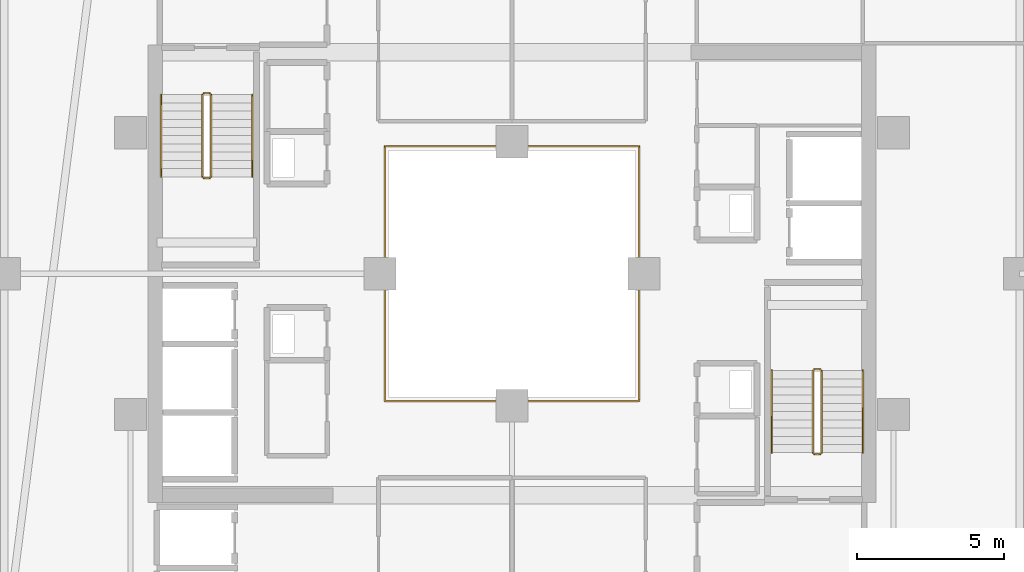
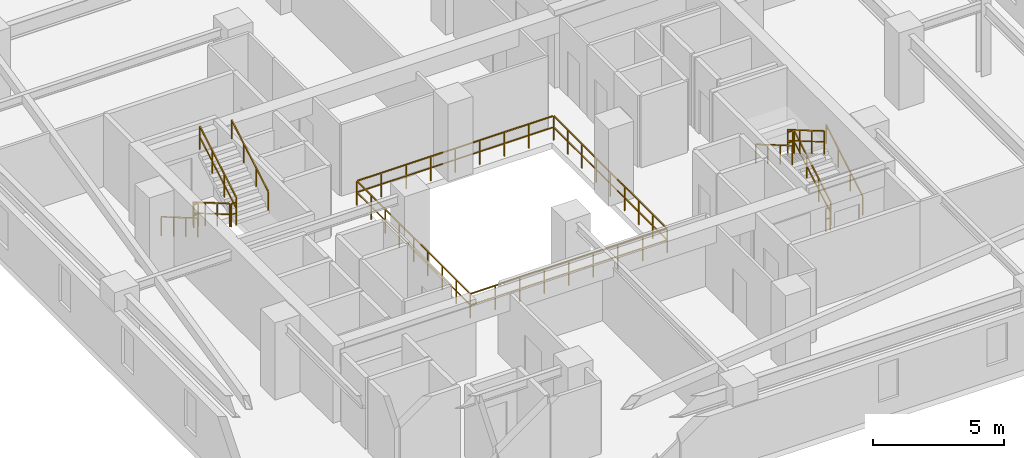
# One storey, part 31 of 32: 13 railings.
"""IFC4 building model written with IfcOpenShell, lengths in metres."""

from ifc_helpers import new_model, si_unit, direction, frame, origin, origin_2d, place, context, subcontext, project, spatial, rectangle, extrude, material, type_object, element, save


model = new_model("IFC4")

# Units and contexts
model_context = context("Model", 3, precision=1e-05, world=origin(), true_north=direction((0.0, 1.0)))
body_context = subcontext(model_context, "Body", "Model", "MODEL_VIEW")
ifc_project = project(units=[si_unit("LENGTHUNIT", "METRE"), si_unit("AREAUNIT", "SQUARE_METRE"), si_unit("VOLUMEUNIT", "CUBIC_METRE"), si_unit("PLANEANGLEUNIT", "RADIAN"), si_unit("MASSUNIT", "GRAM", prefix="KILO")], contexts=[model_context])

# Site, building, storey
site_placement = place(None, origin())
site = spatial("IfcSite", under=ifc_project, at=site_placement, CompositionType="ELEMENT")
building_placement = place(site_placement, origin())
building = spatial("IfcBuilding", under=site, at=building_placement, Name="Thornwick Lancets Civic Towers", CompositionType="ELEMENT")
storey_placement = place(building_placement, frame((0.0, 0.0, 152.699951171875)))
storey = spatial("IfcBuildingStorey", under=building, at=storey_placement, Name="L40", CompositionType="ELEMENT", Elevation=152.699951171875)

# Railings
ifc_material_1 = material(Name="Laminated glass and bronze steel S355", Category="steel")
railing_type_1 = type_object("IfcRailingType", Name="RAIL_ATRIUM_GUARD", PredefinedType="BALUSTRADE", material=ifc_material_1)
railing_1_placement = place(storey_placement, frame((84.159912109375, 22.659912109375, 0.0)))
element("IfcRailing", 1, at=railing_1_placement, inside=storey, type_object=railing_type_1, Name="L40 Tower B Central Atrium Guard Balustrade", PredefinedType="BALUSTRADE", context=body_context, shape_type="SweptSolid", body=[
    extrude(rectangle(XDim=0.048095703125, YDim=0.048095703125, at=origin_2d()), frame((0.0, 0.0, 1.1259765625), z_axis=(1.0, 0.0, 0.0), x_axis=(0.0, 1.0, 0.0)), (0.0, 0.0, 1.0), 8.64892578125),
    extrude(rectangle(XDim=0.0419921875, YDim=0.0419921875, at=origin_2d()), frame((0.03759765625, 0.0, 0.597900390625), z_axis=(1.0, 0.0, 0.0), x_axis=(0.0, 1.0, 0.0)), (0.0, 0.0, 1.0), 1.010009765625),
    extrude(rectangle(XDim=0.0419921875, YDim=0.0419921875, at=origin_2d()), frame((1.12255859375, 0.0, 0.597900390625), z_axis=(1.0, 0.0, 0.0), x_axis=(0.0, 1.0, 0.0)), (0.0, 0.0, 1.0), 1.010009765625),
    extrude(rectangle(XDim=0.0419921875, YDim=0.0419921875, at=origin_2d()), frame((2.20751953125, 0.0, 0.597900390625), z_axis=(1.0, 0.0, 0.0), x_axis=(0.0, 1.0, 0.0)), (0.0, 0.0, 1.0), 1.010009765625),
    extrude(rectangle(XDim=0.0419921875, YDim=0.0419921875, at=origin_2d()), frame((3.29248046875, 0.0, 0.597900390625), z_axis=(1.0, 0.0, 0.0), x_axis=(0.0, 1.0, 0.0)), (0.0, 0.0, 1.0), 1.010009765625),
    extrude(rectangle(XDim=0.0419921875, YDim=0.0419921875, at=origin_2d()), frame((4.377685546875, 0.0, 0.597900390625), z_axis=(1.0, 0.0, 0.0), x_axis=(0.0, 1.0, 0.0)), (0.0, 0.0, 1.0), 1.010009765625),
    extrude(rectangle(XDim=0.0419921875, YDim=0.0419921875, at=origin_2d()), frame((5.462646484375, 0.0, 0.597900390625), z_axis=(1.0, 0.0, 0.0), x_axis=(0.0, 1.0, 0.0)), (0.0, 0.0, 1.0), 1.010009765625),
    extrude(rectangle(XDim=0.0419921875, YDim=0.0419921875, at=origin_2d()), frame((6.547607421875, 0.0, 0.597900390625), z_axis=(1.0, 0.0, 0.0), x_axis=(0.0, 1.0, 0.0)), (0.0, 0.0, 1.0), 1.010009765625),
    extrude(rectangle(XDim=0.0419921875, YDim=0.0419921875, at=origin_2d()), frame((7.632568359375, 0.0, 0.597900390625), z_axis=(1.0, 0.0, 0.0), x_axis=(0.0, 1.0, 0.0)), (0.0, 0.0, 1.0), 1.010009765625),
    extrude(rectangle(XDim=0.048095703125, YDim=0.048095703125, at=origin_2d()), frame((8.68017578125, 0.03125, 1.1259765625), z_axis=(0.0, 1.0, 0.0), x_axis=(-1.0, 0.0, 0.0)), (0.0, 0.0, 1.0), 8.61767578125),
    extrude(rectangle(XDim=0.0419921875, YDim=0.0419921875, at=origin_2d()), frame((8.68017578125, 0.03759765625, 0.597900390625), z_axis=(0.0, 1.0, 0.0), x_axis=(-1.0, 0.0, 0.0)), (0.0, 0.0, 1.0), 1.010009765625),
    extrude(rectangle(XDim=0.0419921875, YDim=0.0419921875, at=origin_2d()), frame((8.68017578125, 1.12255859375, 0.597900390625), z_axis=(0.0, 1.0, 0.0), x_axis=(-1.0, 0.0, 0.0)), (0.0, 0.0, 1.0), 1.010009765625),
    extrude(rectangle(XDim=0.0419921875, YDim=0.0419921875, at=origin_2d()), frame((8.68017578125, 2.20751953125, 0.597900390625), z_axis=(0.0, 1.0, 0.0), x_axis=(-1.0, 0.0, 0.0)), (0.0, 0.0, 1.0), 1.010009765625),
    extrude(rectangle(XDim=0.0419921875, YDim=0.0419921875, at=origin_2d()), frame((8.68017578125, 3.29248046875, 0.597900390625), z_axis=(0.0, 1.0, 0.0), x_axis=(-1.0, 0.0, 0.0)), (0.0, 0.0, 1.0), 1.010009765625),
    extrude(rectangle(XDim=0.0419921875, YDim=0.0419921875, at=origin_2d()), frame((8.68017578125, 4.377685546875, 0.597900390625), z_axis=(0.0, 1.0, 0.0), x_axis=(-1.0, 0.0, 0.0)), (0.0, 0.0, 1.0), 1.010009765625),
    extrude(rectangle(XDim=0.0419921875, YDim=0.0419921875, at=origin_2d()), frame((8.68017578125, 5.462646484375, 0.597900390625), z_axis=(0.0, 1.0, 0.0), x_axis=(-1.0, 0.0, 0.0)), (0.0, 0.0, 1.0), 1.010009765625),
    extrude(rectangle(XDim=0.0419921875, YDim=0.0419921875, at=origin_2d()), frame((8.68017578125, 6.547607421875, 0.597900390625), z_axis=(0.0, 1.0, 0.0), x_axis=(-1.0, 0.0, 0.0)), (0.0, 0.0, 1.0), 1.010009765625),
    extrude(rectangle(XDim=0.0419921875, YDim=0.0419921875, at=origin_2d()), frame((8.68017578125, 7.632568359375, 0.597900390625), z_axis=(0.0, 1.0, 0.0), x_axis=(-1.0, 0.0, 0.0)), (0.0, 0.0, 1.0), 1.010009765625),
    extrude(rectangle(XDim=0.048095703125, YDim=0.048095703125, at=origin_2d()), frame((8.64892578125, 8.68017578125, 1.1259765625), z_axis=(-1.0, 0.0, 0.0), x_axis=(0.0, -1.0, 0.0)), (0.0, 0.0, 1.0), 8.61767578125),
    extrude(rectangle(XDim=0.0419921875, YDim=0.0419921875, at=origin_2d()), frame((8.642578125, 8.68017578125, 0.597900390625), z_axis=(-1.0, 0.0, 0.0), x_axis=(0.0, -1.0, 0.0)), (0.0, 0.0, 1.0), 1.010009765625),
    extrude(rectangle(XDim=0.0419921875, YDim=0.0419921875, at=origin_2d()), frame((7.5576171875, 8.68017578125, 0.597900390625), z_axis=(-1.0, 0.0, 0.0), x_axis=(0.0, -1.0, 0.0)), (0.0, 0.0, 1.0), 1.010009765625),
    extrude(rectangle(XDim=0.0419921875, YDim=0.0419921875, at=origin_2d()), frame((6.47265625, 8.68017578125, 0.597900390625), z_axis=(-1.0, 0.0, 0.0), x_axis=(0.0, -1.0, 0.0)), (0.0, 0.0, 1.0), 1.010009765625),
    extrude(rectangle(XDim=0.0419921875, YDim=0.0419921875, at=origin_2d()), frame((5.3876953125, 8.68017578125, 0.597900390625), z_axis=(-1.0, 0.0, 0.0), x_axis=(0.0, -1.0, 0.0)), (0.0, 0.0, 1.0), 1.010009765625),
    extrude(rectangle(XDim=0.0419921875, YDim=0.0419921875, at=origin_2d()), frame((4.302490234375, 8.68017578125, 0.597900390625), z_axis=(-1.0, 0.0, 0.0), x_axis=(0.0, -1.0, 0.0)), (0.0, 0.0, 1.0), 1.010009765625),
    extrude(rectangle(XDim=0.0419921875, YDim=0.0419921875, at=origin_2d()), frame((3.217529296875, 8.68017578125, 0.597900390625), z_axis=(-1.0, 0.0, 0.0), x_axis=(0.0, -1.0, 0.0)), (0.0, 0.0, 1.0), 1.010009765625),
    extrude(rectangle(XDim=0.0419921875, YDim=0.0419921875, at=origin_2d()), frame((2.132568359375, 8.68017578125, 0.597900390625), z_axis=(-1.0, 0.0, 0.0), x_axis=(0.0, -1.0, 0.0)), (0.0, 0.0, 1.0), 1.010009765625),
    extrude(rectangle(XDim=0.0419921875, YDim=0.0419921875, at=origin_2d()), frame((1.047607421875, 8.68017578125, 0.597900390625), z_axis=(-1.0, 0.0, 0.0), x_axis=(0.0, -1.0, 0.0)), (0.0, 0.0, 1.0), 1.010009765625),
    extrude(rectangle(XDim=0.048095703125, YDim=0.048095703125, at=origin_2d()), frame((0.0, 8.64892578125, 1.1259765625), z_axis=(0.0, -1.0, 0.0), x_axis=(1.0, 0.0, 0.0)), (0.0, 0.0, 1.0), 8.64892578125),
    extrude(rectangle(XDim=0.0419921875, YDim=0.0419921875, at=origin_2d()), frame((0.0, 8.642578125, 0.597900390625), z_axis=(0.0, -1.0, 0.0), x_axis=(1.0, 0.0, 0.0)), (0.0, 0.0, 1.0), 1.010009765625),
    extrude(rectangle(XDim=0.0419921875, YDim=0.0419921875, at=origin_2d()), frame((0.0, 7.5576171875, 0.597900390625), z_axis=(0.0, -1.0, 0.0), x_axis=(1.0, 0.0, 0.0)), (0.0, 0.0, 1.0), 1.010009765625),
    extrude(rectangle(XDim=0.0419921875, YDim=0.0419921875, at=origin_2d()), frame((0.0, 6.47265625, 0.597900390625), z_axis=(0.0, -1.0, 0.0), x_axis=(1.0, 0.0, 0.0)), (0.0, 0.0, 1.0), 1.010009765625),
    extrude(rectangle(XDim=0.0419921875, YDim=0.0419921875, at=origin_2d()), frame((0.0, 5.3876953125, 0.597900390625), z_axis=(0.0, -1.0, 0.0), x_axis=(1.0, 0.0, 0.0)), (0.0, 0.0, 1.0), 1.010009765625),
    extrude(rectangle(XDim=0.0419921875, YDim=0.0419921875, at=origin_2d()), frame((0.0, 4.302490234375, 0.597900390625), z_axis=(0.0, -1.0, 0.0), x_axis=(1.0, 0.0, 0.0)), (0.0, 0.0, 1.0), 1.010009765625),
    extrude(rectangle(XDim=0.0419921875, YDim=0.0419921875, at=origin_2d()), frame((0.0, 3.217529296875, 0.597900390625), z_axis=(0.0, -1.0, 0.0), x_axis=(1.0, 0.0, 0.0)), (0.0, 0.0, 1.0), 1.010009765625),
    extrude(rectangle(XDim=0.0419921875, YDim=0.0419921875, at=origin_2d()), frame((0.0, 2.132568359375, 0.597900390625), z_axis=(0.0, -1.0, 0.0), x_axis=(1.0, 0.0, 0.0)), (0.0, 0.0, 1.0), 1.010009765625),
    extrude(rectangle(XDim=0.0419921875, YDim=0.0419921875, at=origin_2d()), frame((0.0, 1.047607421875, 0.597900390625), z_axis=(0.0, -1.0, 0.0), x_axis=(1.0, 0.0, 0.0)), (0.0, 0.0, 1.0), 1.010009765625),
    extrude(rectangle(XDim=0.0419921875, YDim=0.0419921875, at=origin_2d()), origin(), (0.0, 0.0, 1.0), 1.095703125),
    extrude(rectangle(XDim=0.0419921875, YDim=0.0419921875, at=origin_2d()), frame((1.0849609375, 0.0, 0.0)), (0.0, 0.0, 1.0), 1.095703125),
    extrude(rectangle(XDim=0.0419921875, YDim=0.0419921875, at=origin_2d()), frame((2.169921875, 0.0, 0.0)), (0.0, 0.0, 1.0), 1.095703125),
    extrude(rectangle(XDim=0.0419921875, YDim=0.0419921875, at=origin_2d()), frame((3.255126953125, 0.0, 0.0)), (0.0, 0.0, 1.0), 1.095703125),
    extrude(rectangle(XDim=0.0419921875, YDim=0.0419921875, at=origin_2d()), frame((4.340087890625, 0.0, 0.0)), (0.0, 0.0, 1.0), 1.095703125),
    extrude(rectangle(XDim=0.0419921875, YDim=0.0419921875, at=origin_2d()), frame((5.425048828125, 0.0, 0.0)), (0.0, 0.0, 1.0), 1.095703125),
    extrude(rectangle(XDim=0.0419921875, YDim=0.0419921875, at=origin_2d()), frame((6.51025390625, 0.0, 0.0)), (0.0, 0.0, 1.0), 1.095703125),
    extrude(rectangle(XDim=0.0419921875, YDim=0.0419921875, at=origin_2d()), frame((7.59521484375, 0.0, 0.0)), (0.0, 0.0, 1.0), 1.095703125),
    extrude(rectangle(XDim=0.0419921875, YDim=0.0419921875, at=origin_2d()), frame((8.68017578125, 0.0, 0.0)), (0.0, 0.0, 1.0), 1.095703125),
    extrude(rectangle(XDim=0.0419921875, YDim=0.0419921875, at=origin_2d()), frame((8.68017578125, 1.0849609375, 0.0)), (0.0, 0.0, 1.0), 1.095703125),
    extrude(rectangle(XDim=0.0419921875, YDim=0.0419921875, at=origin_2d()), frame((8.68017578125, 2.169921875, 0.0)), (0.0, 0.0, 1.0), 1.095703125),
    extrude(rectangle(XDim=0.0419921875, YDim=0.0419921875, at=origin_2d()), frame((8.68017578125, 3.255126953125, 0.0)), (0.0, 0.0, 1.0), 1.095703125),
    extrude(rectangle(XDim=0.0419921875, YDim=0.0419921875, at=origin_2d()), frame((8.68017578125, 4.340087890625, 0.0)), (0.0, 0.0, 1.0), 1.095703125),
    extrude(rectangle(XDim=0.0419921875, YDim=0.0419921875, at=origin_2d()), frame((8.68017578125, 5.425048828125, 0.0)), (0.0, 0.0, 1.0), 1.095703125),
    extrude(rectangle(XDim=0.0419921875, YDim=0.0419921875, at=origin_2d()), frame((8.68017578125, 6.51025390625, 0.0)), (0.0, 0.0, 1.0), 1.095703125),
    extrude(rectangle(XDim=0.0419921875, YDim=0.0419921875, at=origin_2d()), frame((8.68017578125, 7.59521484375, 0.0)), (0.0, 0.0, 1.0), 1.095703125),
    extrude(rectangle(XDim=0.0419921875, YDim=0.0419921875, at=origin_2d()), frame((8.68017578125, 8.68017578125, 0.0)), (0.0, 0.0, 1.0), 1.095703125),
    extrude(rectangle(XDim=0.0419921875, YDim=0.0419921875, at=origin_2d()), frame((7.59521484375, 8.68017578125, 0.0)), (0.0, 0.0, 1.0), 1.095703125),
    extrude(rectangle(XDim=0.0419921875, YDim=0.0419921875, at=origin_2d()), frame((6.51025390625, 8.68017578125, 0.0)), (0.0, 0.0, 1.0), 1.095703125),
    extrude(rectangle(XDim=0.0419921875, YDim=0.0419921875, at=origin_2d()), frame((5.425048828125, 8.68017578125, 0.0)), (0.0, 0.0, 1.0), 1.095703125),
    extrude(rectangle(XDim=0.0419921875, YDim=0.0419921875, at=origin_2d()), frame((4.340087890625, 8.68017578125, 0.0)), (0.0, 0.0, 1.0), 1.095703125),
    extrude(rectangle(XDim=0.0419921875, YDim=0.0419921875, at=origin_2d()), frame((3.255126953125, 8.68017578125, 0.0)), (0.0, 0.0, 1.0), 1.095703125),
    extrude(rectangle(XDim=0.0419921875, YDim=0.0419921875, at=origin_2d()), frame((2.169921875, 8.68017578125, 0.0)), (0.0, 0.0, 1.0), 1.095703125),
    extrude(rectangle(XDim=0.0419921875, YDim=0.0419921875, at=origin_2d()), frame((1.0849609375, 8.68017578125, 0.0)), (0.0, 0.0, 1.0), 1.095703125),
    extrude(rectangle(XDim=0.0419921875, YDim=0.0419921875, at=origin_2d()), frame((0.0, 8.68017578125, 0.0)), (0.0, 0.0, 1.0), 1.095703125),
    extrude(rectangle(XDim=0.0419921875, YDim=0.0419921875, at=origin_2d()), frame((0.0, 7.59521484375, 0.0)), (0.0, 0.0, 1.0), 1.095703125),
    extrude(rectangle(XDim=0.0419921875, YDim=0.0419921875, at=origin_2d()), frame((0.0, 6.51025390625, 0.0)), (0.0, 0.0, 1.0), 1.095703125),
    extrude(rectangle(XDim=0.0419921875, YDim=0.0419921875, at=origin_2d()), frame((0.0, 5.425048828125, 0.0)), (0.0, 0.0, 1.0), 1.095703125),
    extrude(rectangle(XDim=0.0419921875, YDim=0.0419921875, at=origin_2d()), frame((0.0, 4.340087890625, 0.0)), (0.0, 0.0, 1.0), 1.095703125),
    extrude(rectangle(XDim=0.0419921875, YDim=0.0419921875, at=origin_2d()), frame((0.0, 3.255126953125, 0.0)), (0.0, 0.0, 1.0), 1.095703125),
    extrude(rectangle(XDim=0.0419921875, YDim=0.0419921875, at=origin_2d()), frame((0.0, 2.169921875, 0.0)), (0.0, 0.0, 1.0), 1.095703125),
    extrude(rectangle(XDim=0.0419921875, YDim=0.0419921875, at=origin_2d()), frame((0.0, 1.0849609375, 0.0)), (0.0, 0.0, 1.0), 1.095703125),
])
ifc_material_2 = material(Name="Brushed stainless steel S355", Category="steel")
railing_type_2 = type_object("IfcRailingType", Name="RAIL_HANDRAIL", PredefinedType="HANDRAIL", material=ifc_material_2)
railing_2_placement = place(storey_placement, frame((100.449951171875, 20.89990234375, 0.16357421875)))
element("IfcRailing", 2, at=railing_2_placement, inside=storey, type_object=railing_type_2, Name="L40 ST-B1 stair handrail 1", PredefinedType="HANDRAIL", context=body_context, shape_type="SweptSolid", body=[
    extrude(rectangle(XDim=0.048095703125, YDim=0.048095703125, at=origin_2d()), frame((0.0, 0.0, 0.8857421875), z_axis=(0.0, 0.863360870873, 0.504586966384), x_axis=(-1.0, 0.0, 0.0)), (0.0, 0.0, 1.0), 3.2431640625),
    extrude(rectangle(XDim=0.0419921875, YDim=0.0419921875, at=origin_2d()), origin(), (0.0, 0.0, 1.0), 0.855712890625),
    extrude(rectangle(XDim=0.0419921875, YDim=0.0419921875, at=origin_2d()), frame((0.0, 0.933349609375, 0.54541015625)), (0.0, 0.0, 1.0), 0.855712890625),
    extrude(rectangle(XDim=0.0419921875, YDim=0.0419921875, at=origin_2d()), frame((0.0, 1.86669921875, 1.091064453125)), (0.0, 0.0, 1.0), 0.855712890625),
    extrude(rectangle(XDim=0.0419921875, YDim=0.0419921875, at=origin_2d()), frame((0.0, 2.800048828125, 1.636474609375)), (0.0, 0.0, 1.0), 0.855712890625),
])
for number, where, name in (
    (3, (97.35009765625, 23.699951171875, 1.963623046875), "L40 ST-B1 stair handrail 2"),
    (4, (76.550048828125, 33.10009765625, 0.16357421875), "L40 ST-B2 stair handrail 1"),
):
    element("IfcRailing", number, at=place(storey_placement, frame(where)), inside=storey, type_object=railing_type_2, Name=name, PredefinedType="HANDRAIL", context=body_context, shape_type="SweptSolid", body=[
        extrude(rectangle(XDim=0.048095703125, YDim=0.048095703125, at=origin_2d()), frame((0.0, 0.0, 0.8857421875), z_axis=(0.0, -0.863360870873, 0.504586966384), x_axis=(1.0, 0.0, 0.0)), (0.0, 0.0, 1.0), 3.2431640625),
        extrude(rectangle(XDim=0.0419921875, YDim=0.0419921875, at=origin_2d()), origin(), (0.0, 0.0, 1.0), 0.855712890625),
        extrude(rectangle(XDim=0.0419921875, YDim=0.0419921875, at=origin_2d()), frame((0.0, -0.933349609375, 0.54541015625)), (0.0, 0.0, 1.0), 0.855712890625),
        extrude(rectangle(XDim=0.0419921875, YDim=0.0419921875, at=origin_2d()), frame((0.0, -1.86669921875, 1.091064453125)), (0.0, 0.0, 1.0), 0.855712890625),
        extrude(rectangle(XDim=0.0419921875, YDim=0.0419921875, at=origin_2d()), frame((0.0, -2.800048828125, 1.636474609375)), (0.0, 0.0, 1.0), 0.855712890625),
    ])
railing_3_placement = place(storey_placement, frame((79.64990234375, 30.300048828125, 1.963623046875)))
element("IfcRailing", 5, at=railing_3_placement, inside=storey, type_object=railing_type_2, Name="L40 ST-B2 stair handrail 2", PredefinedType="HANDRAIL", context=body_context, shape_type="SweptSolid", body=[
    extrude(rectangle(XDim=0.048095703125, YDim=0.048095703125, at=origin_2d()), frame((0.0, 0.0, 0.8857421875), z_axis=(0.0, 0.863360870873, 0.504586966384), x_axis=(-1.0, 0.0, 0.0)), (0.0, 0.0, 1.0), 3.2431640625),
    extrude(rectangle(XDim=0.0419921875, YDim=0.0419921875, at=origin_2d()), origin(), (0.0, 0.0, 1.0), 0.855712890625),
    extrude(rectangle(XDim=0.0419921875, YDim=0.0419921875, at=origin_2d()), frame((0.0, 0.933349609375, 0.54541015625)), (0.0, 0.0, 1.0), 0.855712890625),
    extrude(rectangle(XDim=0.0419921875, YDim=0.0419921875, at=origin_2d()), frame((0.0, 1.86669921875, 1.091064453125)), (0.0, 0.0, 1.0), 0.855712890625),
    extrude(rectangle(XDim=0.0419921875, YDim=0.0419921875, at=origin_2d()), frame((0.0, 2.800048828125, 1.636474609375)), (0.0, 0.0, 1.0), 0.855712890625),
])
ifc_material_3 = material(Name="Steel S355JR", Category="steel")
railing_type_3 = type_object("IfcRailingType", Name="RAIL_STAIR_GUARD", PredefinedType="GUARDRAIL", material=ifc_material_3)
railing_4_placement = place(storey_placement, frame((99.050048828125, 20.89990234375, 0.16357421875)))
element("IfcRailing", 6, at=railing_4_placement, inside=storey, type_object=railing_type_3, Name="L40 ST-B1 stair guard 1", PredefinedType="GUARDRAIL", context=body_context, shape_type="SweptSolid", body=[
    extrude(rectangle(XDim=0.048095703125, YDim=0.048095703125, at=origin_2d()), frame((0.0, 0.0, 1.076171875), z_axis=(0.0, 0.863360870873, 0.504586966384), x_axis=(-1.0, 0.0, 0.0)), (0.0, 0.0, 1.0), 3.2431640625),
    extrude(rectangle(XDim=0.0419921875, YDim=0.0419921875, at=origin_2d()), frame((0.0, 0.032470703125, 0.591064453125), z_axis=(0.0, 0.863360870873, 0.504586966384), x_axis=(-1.0, 0.0, 0.0)), (0.0, 0.0, 1.0), 1.006103515625),
    extrude(rectangle(XDim=0.0419921875, YDim=0.0419921875, at=origin_2d()), frame((0.0, 0.9658203125, 1.136474609375), z_axis=(0.0, 0.863360870873, 0.504586966384), x_axis=(-1.0, 0.0, 0.0)), (0.0, 0.0, 1.0), 1.006103515625),
    extrude(rectangle(XDim=0.0419921875, YDim=0.0419921875, at=origin_2d()), frame((0.0, 1.899169921875, 1.681884765625), z_axis=(0.0, 0.863360870873, 0.504586966384), x_axis=(-1.0, 0.0, 0.0)), (0.0, 0.0, 1.0), 1.006103515625),
    extrude(rectangle(XDim=0.0419921875, YDim=0.0419921875, at=origin_2d()), origin(), (0.0, 0.0, 1.0), 1.0458984375),
    extrude(rectangle(XDim=0.0419921875, YDim=0.0419921875, at=origin_2d()), frame((0.0, 0.933349609375, 0.54541015625)), (0.0, 0.0, 1.0), 1.0458984375),
    extrude(rectangle(XDim=0.0419921875, YDim=0.0419921875, at=origin_2d()), frame((0.0, 1.86669921875, 1.091064453125)), (0.0, 0.0, 1.0), 1.0458984375),
    extrude(rectangle(XDim=0.0419921875, YDim=0.0419921875, at=origin_2d()), frame((0.0, 2.800048828125, 1.636474609375)), (0.0, 0.0, 1.0), 1.0458984375),
])
railing_5_placement = place(storey_placement, frame((99.0, 23.75, 1.800048828125)))
element("IfcRailing", 7, at=railing_5_placement, inside=storey, type_object=railing_type_3, Name="L40 ST-B1 stair guard 2", PredefinedType="GUARDRAIL", context=body_context, shape_type="SweptSolid", body=[
    extrude(rectangle(XDim=0.048095703125, YDim=0.048095703125, at=origin_2d()), frame((0.0, 0.0, 1.076171875), z_axis=(-1.0, 0.0, 0.0), x_axis=(0.0, -1.0, 0.0)), (0.0, 0.0, 1.0), 0.199951171875),
    extrude(rectangle(XDim=0.0419921875, YDim=0.0419921875, at=origin_2d()), frame((-0.03759765625, 0.0, 0.572021484375), z_axis=(-1.0, 0.0, 0.0), x_axis=(0.0, -1.0, 0.0)), (0.0, 0.0, 1.0), 0.125),
    extrude(rectangle(XDim=0.0419921875, YDim=0.0419921875, at=origin_2d()), origin(), (0.0, 0.0, 1.0), 1.0458984375),
    extrude(rectangle(XDim=0.0419921875, YDim=0.0419921875, at=origin_2d()), frame((-0.199951171875, 0.0, 0.0)), (0.0, 0.0, 1.0), 1.0458984375),
])
railing_6_placement = place(storey_placement, frame((98.75, 23.699951171875, 1.963623046875)))
element("IfcRailing", 8, at=railing_6_placement, inside=storey, type_object=railing_type_3, Name="L40 ST-B1 stair guard 3", PredefinedType="GUARDRAIL", context=body_context, shape_type="SweptSolid", body=[
    extrude(rectangle(XDim=0.048095703125, YDim=0.048095703125, at=origin_2d()), frame((0.0, 0.0, 1.076171875), z_axis=(0.0, -0.863360870873, 0.504586966384), x_axis=(1.0, 0.0, 0.0)), (0.0, 0.0, 1.0), 3.2431640625),
    extrude(rectangle(XDim=0.0419921875, YDim=0.0419921875, at=origin_2d()), frame((0.0, -0.032470703125, 0.591064453125), z_axis=(0.0, -0.863360870873, 0.504586966384), x_axis=(1.0, 0.0, 0.0)), (0.0, 0.0, 1.0), 1.006103515625),
    extrude(rectangle(XDim=0.0419921875, YDim=0.0419921875, at=origin_2d()), frame((0.0, -0.9658203125, 1.136474609375), z_axis=(0.0, -0.863360870873, 0.504586966384), x_axis=(1.0, 0.0, 0.0)), (0.0, 0.0, 1.0), 1.006103515625),
    extrude(rectangle(XDim=0.0419921875, YDim=0.0419921875, at=origin_2d()), frame((0.0, -1.899169921875, 1.681884765625), z_axis=(0.0, -0.863360870873, 0.504586966384), x_axis=(1.0, 0.0, 0.0)), (0.0, 0.0, 1.0), 1.006103515625),
    extrude(rectangle(XDim=0.0419921875, YDim=0.0419921875, at=origin_2d()), origin(), (0.0, 0.0, 1.0), 1.0458984375),
    extrude(rectangle(XDim=0.0419921875, YDim=0.0419921875, at=origin_2d()), frame((0.0, -0.933349609375, 0.54541015625)), (0.0, 0.0, 1.0), 1.0458984375),
    extrude(rectangle(XDim=0.0419921875, YDim=0.0419921875, at=origin_2d()), frame((0.0, -1.86669921875, 1.091064453125)), (0.0, 0.0, 1.0), 1.0458984375),
    extrude(rectangle(XDim=0.0419921875, YDim=0.0419921875, at=origin_2d()), frame((0.0, -2.800048828125, 1.636474609375)), (0.0, 0.0, 1.0), 1.0458984375),
])
railing_7_placement = place(storey_placement, frame((99.0, 20.85009765625, 0.0)))
element("IfcRailing", 9, at=railing_7_placement, inside=storey, type_object=railing_type_3, Name="L40 ST-B1 stair guard 4", PredefinedType="GUARDRAIL", context=body_context, shape_type="SweptSolid", body=[
    extrude(rectangle(XDim=0.048095703125, YDim=0.048095703125, at=origin_2d()), frame((0.0, 0.0, 1.076171875), z_axis=(-1.0, 0.0, 0.0), x_axis=(0.0, -1.0, 0.0)), (0.0, 0.0, 1.0), 0.199951171875),
    extrude(rectangle(XDim=0.0419921875, YDim=0.0419921875, at=origin_2d()), frame((-0.03759765625, 0.0, 0.572021484375), z_axis=(-1.0, 0.0, 0.0), x_axis=(0.0, -1.0, 0.0)), (0.0, 0.0, 1.0), 0.125),
    extrude(rectangle(XDim=0.0419921875, YDim=0.0419921875, at=origin_2d()), origin(), (0.0, 0.0, 1.0), 1.0458984375),
    extrude(rectangle(XDim=0.0419921875, YDim=0.0419921875, at=origin_2d()), frame((-0.199951171875, 0.0, 0.0)), (0.0, 0.0, 1.0), 1.0458984375),
])
railing_8_placement = place(storey_placement, frame((77.949951171875, 33.10009765625, 0.16357421875)))
element("IfcRailing", 10, at=railing_8_placement, inside=storey, type_object=railing_type_3, Name="L40 ST-B2 stair guard 1", PredefinedType="GUARDRAIL", context=body_context, shape_type="SweptSolid", body=[
    extrude(rectangle(XDim=0.048095703125, YDim=0.048095703125, at=origin_2d()), frame((0.0, 0.0, 1.076171875), z_axis=(0.0, -0.863360870873, 0.504586966384), x_axis=(1.0, 0.0, 0.0)), (0.0, 0.0, 1.0), 3.2431640625),
    extrude(rectangle(XDim=0.0419921875, YDim=0.0419921875, at=origin_2d()), frame((0.0, -0.032470703125, 0.591064453125), z_axis=(0.0, -0.863360870873, 0.504586966384), x_axis=(1.0, 0.0, 0.0)), (0.0, 0.0, 1.0), 1.006103515625),
    extrude(rectangle(XDim=0.0419921875, YDim=0.0419921875, at=origin_2d()), frame((0.0, -0.9658203125, 1.136474609375), z_axis=(0.0, -0.863360870873, 0.504586966384), x_axis=(1.0, 0.0, 0.0)), (0.0, 0.0, 1.0), 1.006103515625),
    extrude(rectangle(XDim=0.0419921875, YDim=0.0419921875, at=origin_2d()), frame((0.0, -1.899169921875, 1.681884765625), z_axis=(0.0, -0.863360870873, 0.504586966384), x_axis=(1.0, 0.0, 0.0)), (0.0, 0.0, 1.0), 1.006103515625),
    extrude(rectangle(XDim=0.0419921875, YDim=0.0419921875, at=origin_2d()), origin(), (0.0, 0.0, 1.0), 1.0458984375),
    extrude(rectangle(XDim=0.0419921875, YDim=0.0419921875, at=origin_2d()), frame((0.0, -0.933349609375, 0.54541015625)), (0.0, 0.0, 1.0), 1.0458984375),
    extrude(rectangle(XDim=0.0419921875, YDim=0.0419921875, at=origin_2d()), frame((0.0, -1.86669921875, 1.091064453125)), (0.0, 0.0, 1.0), 1.0458984375),
    extrude(rectangle(XDim=0.0419921875, YDim=0.0419921875, at=origin_2d()), frame((0.0, -2.800048828125, 1.636474609375)), (0.0, 0.0, 1.0), 1.0458984375),
])
railing_9_placement = place(storey_placement, frame((78.0, 30.25, 1.800048828125)))
element("IfcRailing", 11, at=railing_9_placement, inside=storey, type_object=railing_type_3, Name="L40 ST-B2 stair guard 2", PredefinedType="GUARDRAIL", context=body_context, shape_type="SweptSolid", body=[
    extrude(rectangle(XDim=0.048095703125, YDim=0.048095703125, at=origin_2d()), frame((0.0, 0.0, 1.076171875), z_axis=(1.0, 0.0, 0.0), x_axis=(0.0, 1.0, 0.0)), (0.0, 0.0, 1.0), 0.199951171875),
    extrude(rectangle(XDim=0.0419921875, YDim=0.0419921875, at=origin_2d()), frame((0.03759765625, 0.0, 0.572021484375), z_axis=(1.0, 0.0, 0.0), x_axis=(0.0, 1.0, 0.0)), (0.0, 0.0, 1.0), 0.125),
    extrude(rectangle(XDim=0.0419921875, YDim=0.0419921875, at=origin_2d()), origin(), (0.0, 0.0, 1.0), 1.0458984375),
    extrude(rectangle(XDim=0.0419921875, YDim=0.0419921875, at=origin_2d()), frame((0.199951171875, 0.0, 0.0)), (0.0, 0.0, 1.0), 1.0458984375),
])
railing_10_placement = place(storey_placement, frame((78.25, 30.300048828125, 1.963623046875)))
element("IfcRailing", 12, at=railing_10_placement, inside=storey, type_object=railing_type_3, Name="L40 ST-B2 stair guard 3", PredefinedType="GUARDRAIL", context=body_context, shape_type="SweptSolid", body=[
    extrude(rectangle(XDim=0.048095703125, YDim=0.048095703125, at=origin_2d()), frame((0.0, 0.0, 1.076171875), z_axis=(0.0, 0.863360870873, 0.504586966384), x_axis=(-1.0, 0.0, 0.0)), (0.0, 0.0, 1.0), 3.2431640625),
    extrude(rectangle(XDim=0.0419921875, YDim=0.0419921875, at=origin_2d()), frame((0.0, 0.032470703125, 0.591064453125), z_axis=(0.0, 0.863360870873, 0.504586966384), x_axis=(-1.0, 0.0, 0.0)), (0.0, 0.0, 1.0), 1.006103515625),
    extrude(rectangle(XDim=0.0419921875, YDim=0.0419921875, at=origin_2d()), frame((0.0, 0.9658203125, 1.136474609375), z_axis=(0.0, 0.863360870873, 0.504586966384), x_axis=(-1.0, 0.0, 0.0)), (0.0, 0.0, 1.0), 1.006103515625),
    extrude(rectangle(XDim=0.0419921875, YDim=0.0419921875, at=origin_2d()), frame((0.0, 1.899169921875, 1.681884765625), z_axis=(0.0, 0.863360870873, 0.504586966384), x_axis=(-1.0, 0.0, 0.0)), (0.0, 0.0, 1.0), 1.006103515625),
    extrude(rectangle(XDim=0.0419921875, YDim=0.0419921875, at=origin_2d()), origin(), (0.0, 0.0, 1.0), 1.0458984375),
    extrude(rectangle(XDim=0.0419921875, YDim=0.0419921875, at=origin_2d()), frame((0.0, 0.933349609375, 0.54541015625)), (0.0, 0.0, 1.0), 1.0458984375),
    extrude(rectangle(XDim=0.0419921875, YDim=0.0419921875, at=origin_2d()), frame((0.0, 1.86669921875, 1.091064453125)), (0.0, 0.0, 1.0), 1.0458984375),
    extrude(rectangle(XDim=0.0419921875, YDim=0.0419921875, at=origin_2d()), frame((0.0, 2.800048828125, 1.636474609375)), (0.0, 0.0, 1.0), 1.0458984375),
])
railing_11_placement = place(storey_placement, frame((78.0, 33.14990234375, 0.0)))
element("IfcRailing", 13, at=railing_11_placement, inside=storey, type_object=railing_type_3, Name="L40 ST-B2 stair guard 4", PredefinedType="GUARDRAIL", context=body_context, shape_type="SweptSolid", body=[
    extrude(rectangle(XDim=0.048095703125, YDim=0.048095703125, at=origin_2d()), frame((0.0, 0.0, 1.076171875), z_axis=(1.0, 0.0, 0.0), x_axis=(0.0, 1.0, 0.0)), (0.0, 0.0, 1.0), 0.199951171875),
    extrude(rectangle(XDim=0.0419921875, YDim=0.0419921875, at=origin_2d()), frame((0.03759765625, 0.0, 0.572021484375), z_axis=(1.0, 0.0, 0.0), x_axis=(0.0, 1.0, 0.0)), (0.0, 0.0, 1.0), 0.125),
    extrude(rectangle(XDim=0.0419921875, YDim=0.0419921875, at=origin_2d()), origin(), (0.0, 0.0, 1.0), 1.0458984375),
    extrude(rectangle(XDim=0.0419921875, YDim=0.0419921875, at=origin_2d()), frame((0.199951171875, 0.0, 0.0)), (0.0, 0.0, 1.0), 1.0458984375),
])

save(model, "model.ifc")
